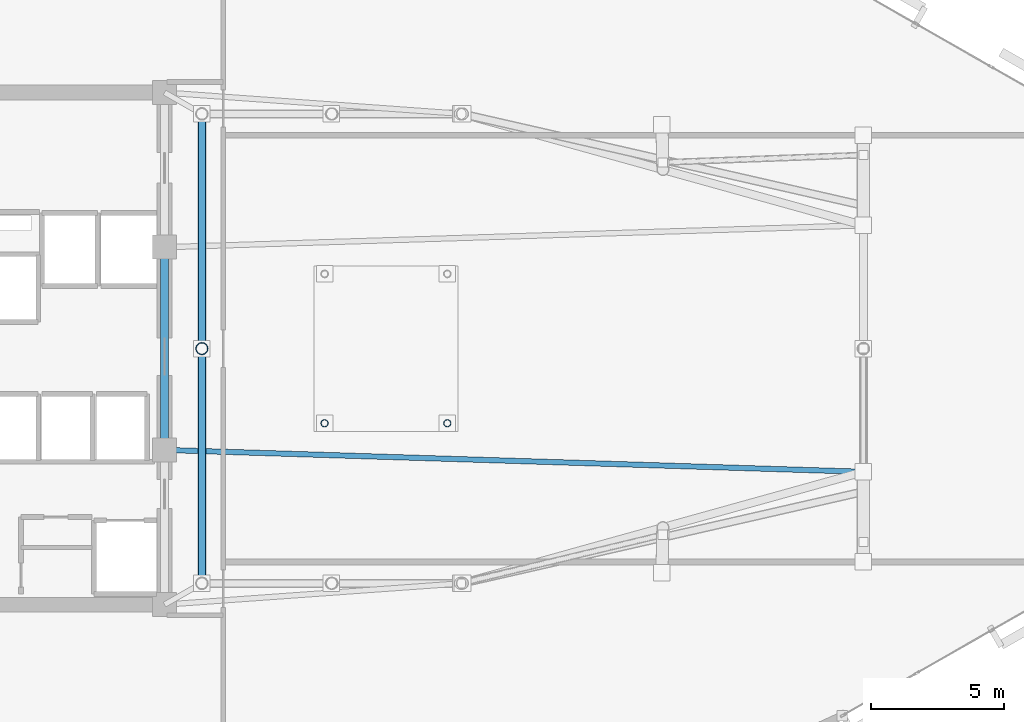
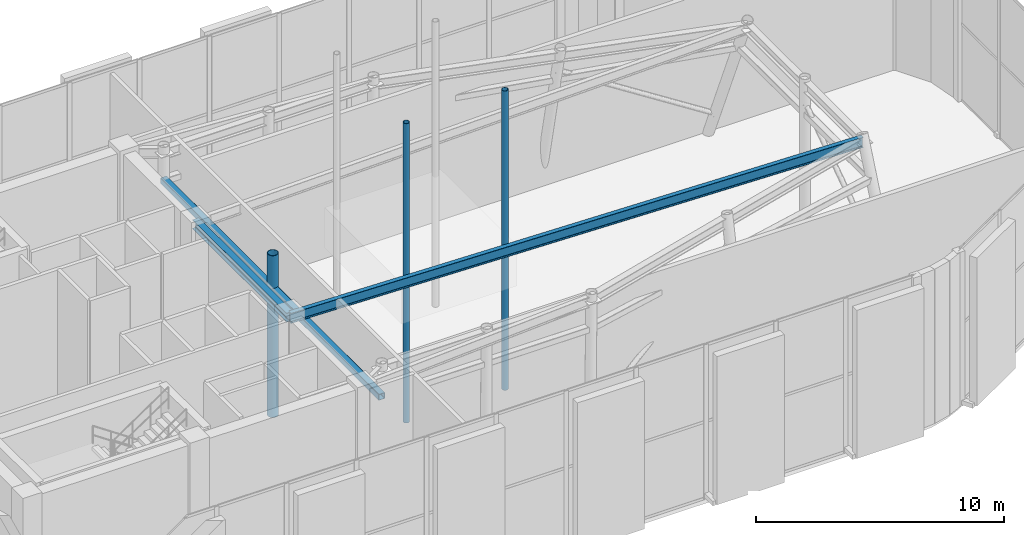
# One storey, part 6 of 22: 4 members, 2 beams.
"""IFC4 building model written with IfcOpenShell, lengths in metres."""

from ifc_helpers import new_model, si_unit, direction, frame, origin, origin_2d, place, context, subcontext, project, spatial, hollow_rectangle, hollow_circle, i_section, extrude, material, material_profile, profile_set, type_object, element, save


model = new_model("IFC4")

# Units and contexts
model_context = context("Model", 3, precision=1e-05, world=origin(), true_north=direction((0.0, 1.0)))
body_context = subcontext(model_context, "Body", "Model", "MODEL_VIEW")
ifc_project = project(units=[si_unit("LENGTHUNIT", "METRE"), si_unit("AREAUNIT", "SQUARE_METRE"), si_unit("VOLUMEUNIT", "CUBIC_METRE"), si_unit("PLANEANGLEUNIT", "RADIAN"), si_unit("MASSUNIT", "GRAM", prefix="KILO")], contexts=[model_context])

# Site, building, storey
site_placement = place(None, origin())
site = spatial("IfcSite", under=ifc_project, at=site_placement, CompositionType="ELEMENT")
building_placement = place(site_placement, origin())
building = spatial("IfcBuilding", under=site, at=building_placement, Name="An Khanh Terracotta Commons", CompositionType="ELEMENT")
storey_placement = place(building_placement, frame((0.0, 0.0, 300.39990234375)))
storey = spatial("IfcBuildingStorey", under=building, at=storey_placement, Name="L78 Crown Damper Chamber", CompositionType="ELEMENT", Elevation=300.39990234375)

# Beams
ifc_material_1 = material(Name="Steel S355J2", Category="steel")
ifc_material_profile_1 = material_profile(ifc_material_1, i_section(OverallWidth=0.300048828125, OverallDepth=0.449951171875, WebThickness=0.013916015625, FlangeThickness=0.02587890625, FilletRadius=0.027099609375, at=origin_2d()), Name="HEB450")
ifc_profile_set_1 = profile_set([ifc_material_profile_1], Name="Steel S355J2")
beam_type_1 = type_object("IfcBeamType", Name="BM-HEB450", PredefinedType="BEAM", material=ifc_profile_set_1)
beam_1_placement = place(storey_placement, frame((37.199951171875, 20.199951171875, 7.155029296875), z_axis=(0.0, 1.0, 0.0), x_axis=(-1.0, 0.0, 0.0)))
element("IfcBeam", 1, at=beam_1_placement, inside=storey, type_object=beam_type_1, Name="L78 Crown Damper Chamber Core East Coupling Girder 2", PredefinedType="BEAM", context=body_context, shape_type="SweptSolid", body=[
    extrude(i_section(OverallWidth=0.300048828125, OverallDepth=0.449951171875, WebThickness=0.013916015625, FlangeThickness=0.02587890625, FilletRadius=0.027099609375, at=origin_2d()), origin(), (0.0, 0.0, 1.0), 7.60009765625),
])
ifc_material_profile_2 = material_profile(ifc_material_1, i_section(OverallWidth=0.199951171875, OverallDepth=0.5, WebThickness=0.01025390625, FlangeThickness=0.01611328125, FilletRadius=0.02099609375, at=origin_2d()), Name="IPE500")
ifc_profile_set_2 = profile_set([ifc_material_profile_2], Name="Steel S355J2")
beam_type_2 = type_object("IfcBeamType", Name="BM-IPE500", PredefinedType="BEAM", material=ifc_profile_set_2)
beam_2_placement = place(storey_placement, frame((37.199951171875, 20.199951171875, 7.130126953125), z_axis=(0.999510502833, -0.031285055948, 0.0), x_axis=(0.031285055948, 0.999510502833, 0.0)))
element("IfcBeam", 2, at=beam_2_placement, inside=storey, type_object=beam_type_2, Name="L78 Crown Damper Chamber Crown Radial Tie Beam 3", PredefinedType="BEAM", context=body_context, shape_type="SweptSolid", body=[
    extrude(i_section(OverallWidth=0.199951171875, OverallDepth=0.5, WebThickness=0.01025390625, FlangeThickness=0.01611328125, FilletRadius=0.02099609375, at=origin_2d()), origin(), (0.0, 0.0, 1.0), 26.212890625),
])

# Members
ifc_material_2 = material(Name="Steel S460ML", Category="steel")
ifc_material_profile_3 = material_profile(ifc_material_2, hollow_circle(Radius=0.228515625, WallThickness=0.02001953125, at=origin_2d()), Name="CHS457x20")
ifc_profile_set_3 = profile_set([ifc_material_profile_3], Name="Steel S460ML")
member_type_1 = type_object("IfcMemberType", Name="CROWN FRAME RIB CHS457", PredefinedType="STRUT", material=ifc_profile_set_3)
member_1_placement = place(storey_placement, frame((38.60009765625, 24.0, -0.449951171875), z_axis=(0.0, 0.0, 1.0), x_axis=(1.0, 0.0, 0.0)))
element("IfcMember", 3, at=member_1_placement, inside=storey, type_object=member_type_1, Name="L78 Crown Damper Chamber CROWN FRAME Facet Strut 6", PredefinedType="STRUT", context=body_context, shape_type="SweptSolid", body=[
    extrude(hollow_circle(Radius=0.228515625, WallThickness=0.02001953125, at=origin_2d()), origin(), (0.0, 0.0, 1.0), 7.969970703125),
])
ifc_material_profile_4 = material_profile(ifc_material_2, hollow_rectangle(XDim=0.300048828125, YDim=0.300048828125, WallThickness=0.01611328125, InnerFilletRadius=0.01611328125, OuterFilletRadius=0.031982421875, at=origin_2d()), Name="SHS300x300x16")
ifc_profile_set_4 = profile_set([ifc_material_profile_4], Name="Steel S460ML")
member_type_2 = type_object("IfcMemberType", Name="CROWN FRAME RING SHS300", PredefinedType="CHORD", material=ifc_profile_set_4)
member_2_placement = place(storey_placement, frame((38.60009765625, 32.800048828125, 5.76708984375), z_axis=(0.0, -1.0, 0.0), x_axis=(1.0, 0.0, 0.0)))
element("IfcMember", 4, at=member_2_placement, inside=storey, type_object=member_type_2, Name="L78 Crown Damper Chamber CROWN FRAME Sill Ring Chord 6", PredefinedType="CHORD", context=body_context, shape_type="SweptSolid", body=[
    extrude(hollow_rectangle(XDim=0.300048828125, YDim=0.300048828125, WallThickness=0.01611328125, InnerFilletRadius=0.01611328125, OuterFilletRadius=0.031982421875, at=origin_2d()), origin(), (0.0, 0.0, 1.0), 17.60009765625),
])
ifc_material_profile_5 = material_profile(ifc_material_2, hollow_circle(Radius=0.136474609375, WallThickness=0.012451171875, at=origin_2d()), Name="CHS273x12.5")
ifc_profile_set_5 = profile_set([ifc_material_profile_5], Name="Steel S460ML")
member_type_3 = type_object("IfcMemberType", Name="TMD-HANGER-CHS273", PredefinedType="STRUT", material=ifc_profile_set_5)
for number, where, z_axis, x_axis, name in (
    (5, (43.199951171875, 21.199951171875, -0.699951171875), (0.0, 0.0, 1.0), (1.0, 0.0, 0.0), "Pendulum Tuned Mass Damper Hanger Strut 1"),
    (6, (47.800048828125, 21.199951171875, -0.699951171875), (0.0, 0.0, 1.0), (1.0, 0.0, 0.0), "Pendulum Tuned Mass Damper Hanger Strut 2"),
):
    element("IfcMember", number, at=place(storey_placement, frame(where, z_axis=z_axis, x_axis=x_axis)), inside=storey, type_object=member_type_3, Name=name, PredefinedType="STRUT", context=body_context, shape_type="SweptSolid", body=[
        extrude(hollow_circle(Radius=0.136474609375, WallThickness=0.012451171875, at=origin_2d()), origin(), (0.0, 0.0, 1.0), 14.75),
    ])

save(model, "model.ifc")
